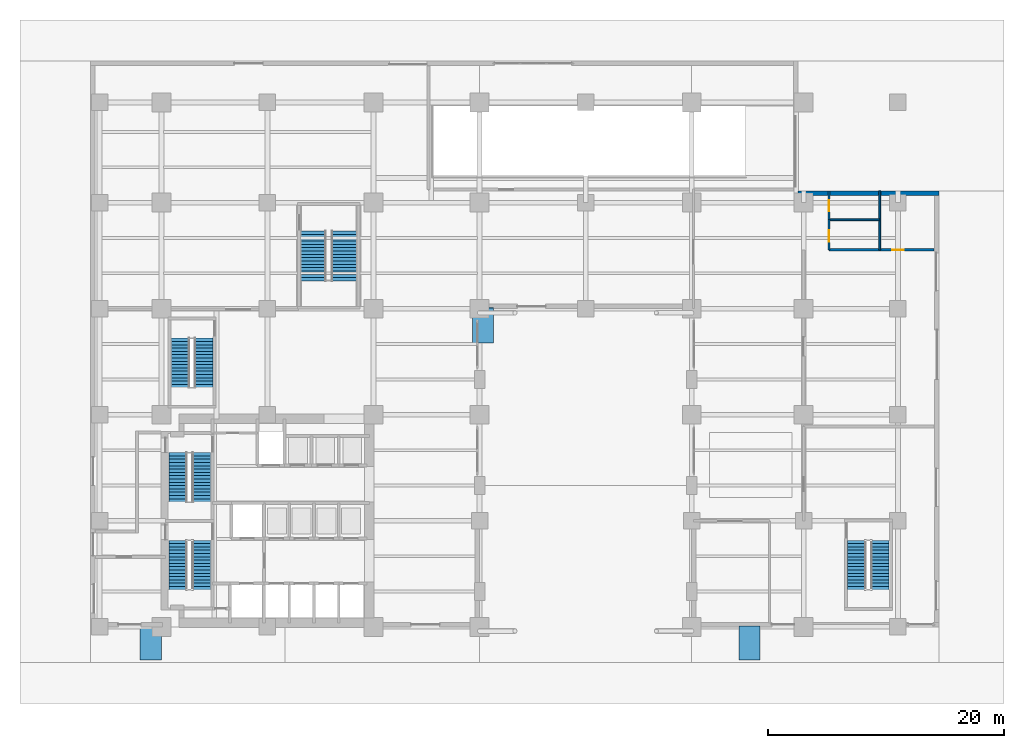
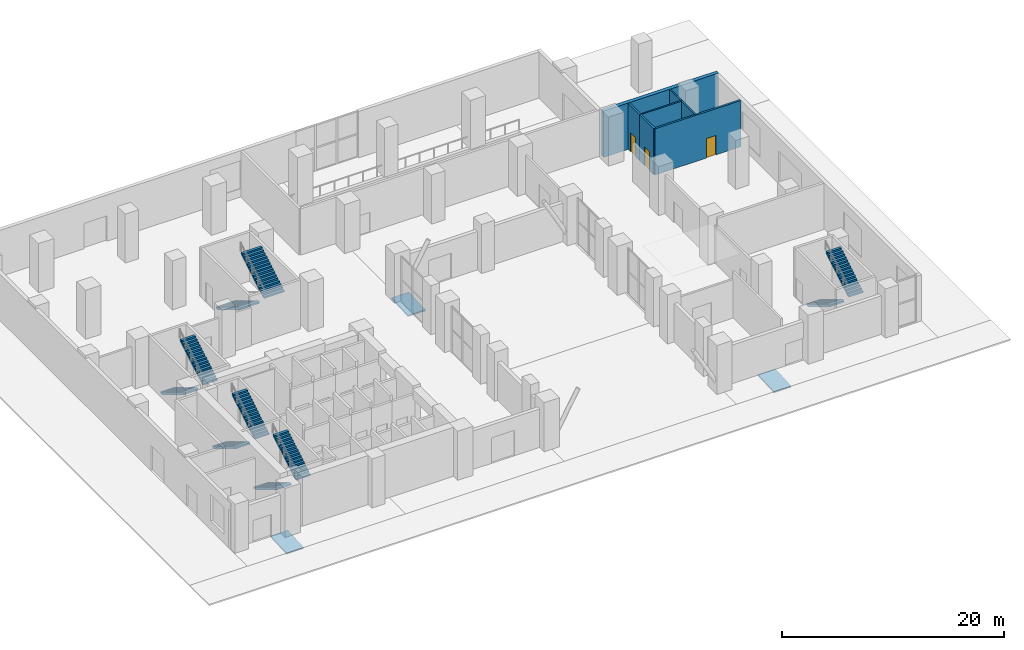
# One storey, part 14 of 17: 10 stair flights, 6 walls, 3 doors, 3 ramp flights, 3 openings, 8 elements without a shape of their own.
"""IFC4 building model written with IfcOpenShell, lengths in metres."""

from ifc_helpers import new_model, si_unit, direction, frame, frame_2d, origin, place, context, subcontext, project, spatial, polyline, rectangle, outline, extrude, material, layer, layer_set, type_object, element, fill, aggregate, save


model = new_model("IFC4")

# Units and contexts
model_context = context("Model", 3, precision=1e-05, world=origin(), true_north=direction((0.0, 1.0)))
body_context = subcontext(model_context, "Body", "Model", "MODEL_VIEW")
ifc_project = project(units=[si_unit("LENGTHUNIT", "METRE"), si_unit("AREAUNIT", "SQUARE_METRE"), si_unit("VOLUMEUNIT", "CUBIC_METRE"), si_unit("PLANEANGLEUNIT", "RADIAN"), si_unit("MASSUNIT", "GRAM", prefix="KILO")], contexts=[model_context])

# Site, building, storey
site_placement = place(None, origin())
site = spatial("IfcSite", under=ifc_project, at=site_placement, CompositionType="ELEMENT")
building_placement = place(site_placement, origin())
building = spatial("IfcBuilding", under=site, at=building_placement, Name="Mawjdan Bourse Tower", CompositionType="ELEMENT")
storey_placement = place(building_placement, origin())
storey = spatial("IfcBuildingStorey", under=building, at=storey_placement, Name="L00", CompositionType="ELEMENT", Elevation=0.0)

# Wall
ifc_material_1 = material(Name="Brick Masonry Terracotta Red", Category="masonry")
ifc_layer_1 = layer(ifc_material_1, 0.3798828125)
ifc_layer_set_1 = layer_set([ifc_layer_1], Name="Brick Masonry Terracotta Red")
wall_type_1 = type_object("IfcWallType", Name="WL-BRK-RED-380", PredefinedType="STANDARD", material=ifc_layer_set_1)
wall_1_placement = place(storey_placement, frame((72.0, 39.81005859375, 0.0), z_axis=(0.0, 0.0, 1.0), x_axis=(-1.0, 0.0, 0.0)))
element("IfcWall", 1, at=wall_1_placement, inside=storey, type_object=wall_type_1, Name="L00 Podium Brick Wall RAMP-STEP", PredefinedType="STANDARD", context=body_context, shape_type="SweptSolid", body=[
    extrude(rectangle(XDim=12.0, YDim=0.3798828125, at=frame_2d((6.0, 0.0))), origin(), (0.0, 0.0, 1.0), 5.10009765625),
])

# Wall, opening, door
ifc_material_2 = material(Name="Gypsum Fireboard Assembly")
ifc_layer_2 = layer(ifc_material_2, 0.199951171875)
ifc_layer_set_2 = layer_set([ifc_layer_2], Name="Gypsum Fireboard Assembly")
wall_type_2 = type_object("IfcWallType", Name="WL-CMP-200", PredefinedType="PARTITIONING", material=ifc_layer_set_2)
wall_2_placement = place(storey_placement, frame((62.64990234375, 35.0, 0.0), z_axis=(0.0, 0.0, 1.0), x_axis=(1.0, 0.0, 0.0)))
wall_2 = element("IfcWall", 2, at=wall_2_placement, inside=storey, type_object=wall_type_2, Name="L00 East Restroom South Wall", PredefinedType="PARTITIONING", context=body_context, shape_type="SweptSolid", body=[
    extrude(rectangle(XDim=8.93017578125, YDim=0.199951171875, at=frame_2d((4.465087890625, 0.0))), origin(), (0.0, 0.0, 1.0), 5.090087890625),
])
opening_1_placement = place(wall_2_placement, frame((5.35009765625, 0.0, 0.0)))
opening_1 = element("IfcOpeningElement", 3, at=opening_1_placement, cuts=wall_2, Name="Opening D-L00-31", PredefinedType="OPENING", context=body_context, shape_type="SweptSolid", body=[
    extrude(rectangle(XDim=1.0, YDim=2.14990234375, at=frame_2d((0.5, 1.074951171875))), frame((0.0, 0.10986328125, 0.0), z_axis=(0.0, -1.0, 0.0), x_axis=(1.0, 0.0, 0.0)), (0.0, 0.0, 1.0), 0.219970703125),
])
ifc_material_3 = material(Name="Hardwood Acoustic Leaf", Category="wood")
door_type_1 = type_object("IfcDoorType", Name="DR-OFC-1000", OperationType="NOTDEFINED", PredefinedType="DOOR", material=ifc_material_3)
door_1_placement = place(opening_1_placement, origin())
door_1 = element("IfcDoor", 4, at=door_1_placement, inside=storey, type_object=door_type_1, Name="L00 Facilities Store Door D-L00-31", OperationType="SINGLE_SWING_LEFT", OverallHeight=2.14990234375, OverallWidth=1.0, PredefinedType="DOOR", context=body_context, shape_type="SweptSolid", body=[
    extrude(rectangle(XDim=1.0, YDim=2.14990234375, at=frame_2d((0.5, 1.074951171875))), frame((0.0, 0.02490234375, 0.0), z_axis=(0.0, -1.0, 0.0), x_axis=(1.0, 0.0, 0.0)), (0.0, 0.0, 1.0), 0.050048828125),
])
fill(opening_1, door_1)

wall_3_placement = place(storey_placement, frame((62.64990234375, 35.0, 0.0), z_axis=(0.0, 0.0, 1.0), x_axis=(0.0, 1.0, 0.0)))
wall_3 = element("IfcWall", 5, at=wall_3_placement, inside=storey, type_object=wall_type_2, Name="L00 East Accessible WC West Wall", PredefinedType="PARTITIONING", context=body_context, shape_type="SweptSolid", body=[
    extrude(rectangle(XDim=2.550048828125, YDim=0.199951171875, at=frame_2d((1.27490234375, 0.0))), origin(), (0.0, 0.0, 1.0), 5.090087890625),
])
opening_2_placement = place(wall_3_placement, frame((0.699951171875, 0.0, 0.0)))
opening_2 = element("IfcOpeningElement", 6, at=opening_2_placement, cuts=wall_3, Name="Opening D-L00-32", PredefinedType="OPENING", context=body_context, shape_type="SweptSolid", body=[
    extrude(rectangle(XDim=0.949951171875, YDim=2.10009765625, at=frame_2d((0.47509765625, 1.050048828125))), frame((0.0, 0.10986328125, 0.0), z_axis=(0.0, -1.0, 0.0), x_axis=(1.0, 0.0, 0.0)), (0.0, 0.0, 1.0), 0.219970703125),
])
ifc_material_4 = material(Name="Moisture-Resistant Laminate Timber", Category="wood")
door_type_2 = type_object("IfcDoorType", Name="DR-WET-0950", OperationType="NOTDEFINED", PredefinedType="DOOR", material=ifc_material_4)
door_2_placement = place(opening_2_placement, origin())
door_2 = element("IfcDoor", 7, at=door_2_placement, inside=storey, type_object=door_type_2, Name="L00 East Accessible WC Door D-L00-32", OperationType="SINGLE_SWING_RIGHT", OverallHeight=2.10009765625, OverallWidth=0.949951171875, PredefinedType="DOOR", context=body_context, shape_type="SweptSolid", body=[
    extrude(rectangle(XDim=0.949951171875, YDim=2.10009765625, at=frame_2d((0.47509765625, 1.050048828125))), frame((0.0, 0.02490234375, 0.0), z_axis=(0.0, -1.0, 0.0), x_axis=(1.0, 0.0, 0.0)), (0.0, 0.0, 1.0), 0.050048828125),
])
fill(opening_2, door_2)

wall_4_placement = place(storey_placement, frame((62.64990234375, 37.550048828125, 0.0), z_axis=(0.0, 0.0, 1.0), x_axis=(0.0, 1.0, 0.0)))
wall_4 = element("IfcWall", 8, at=wall_4_placement, inside=storey, type_object=wall_type_2, Name="L00 East Restroom West Wall", PredefinedType="PARTITIONING", context=body_context, shape_type="SweptSolid", body=[
    extrude(rectangle(XDim=2.449951171875, YDim=0.199951171875, at=frame_2d((1.22509765625, 0.0))), origin(), (0.0, 0.0, 1.0), 5.090087890625),
])
opening_3_placement = place(wall_4_placement, frame((0.699951171875, 0.0, 0.0)))
opening_3 = element("IfcOpeningElement", 9, at=opening_3_placement, cuts=wall_4, Name="Opening D-L00-33", PredefinedType="OPENING", context=body_context, shape_type="SweptSolid", body=[
    extrude(rectangle(XDim=0.949951171875, YDim=2.10009765625, at=frame_2d((0.47509765625, 1.050048828125))), frame((0.0, 0.10986328125, 0.0), z_axis=(0.0, -1.0, 0.0), x_axis=(1.0, 0.0, 0.0)), (0.0, 0.0, 1.0), 0.219970703125),
])
door_3_placement = place(opening_3_placement, origin())
door_3 = element("IfcDoor", 10, at=door_3_placement, inside=storey, type_object=door_type_2, Name="L00 East Restroom Door D-L00-33", OperationType="SINGLE_SWING_LEFT", OverallHeight=2.10009765625, OverallWidth=0.949951171875, PredefinedType="DOOR", context=body_context, shape_type="SweptSolid", body=[
    extrude(rectangle(XDim=0.949951171875, YDim=2.10009765625, at=frame_2d((0.47509765625, 1.050048828125))), frame((0.0, 0.02490234375, 0.0), z_axis=(0.0, -1.0, 0.0), x_axis=(1.0, 0.0, 0.0)), (0.0, 0.0, 1.0), 0.050048828125),
])
fill(opening_3, door_3)

# Walls
ifc_material_5 = material(Name="Gypsum Acoustic Partition")
ifc_layer_3 = layer(ifc_material_5, 0.14990234375)
ifc_layer_set_3 = layer_set([ifc_layer_3], Name="Gypsum Acoustic Partition")
wall_type_3 = type_object("IfcWallType", Name="WL-PRT-150", PredefinedType="PARTITIONING", material=ifc_layer_set_3)
wall_5_placement = place(storey_placement, frame((62.64990234375, 37.550048828125, 0.0), z_axis=(0.0, 0.0, 1.0), x_axis=(1.0, 0.0, 0.0)))
element("IfcWall", 11, at=wall_5_placement, inside=storey, type_object=wall_type_3, Name="L00 WC Split Wall", PredefinedType="PARTITIONING", context=body_context, shape_type="SweptSolid", body=[
    extrude(rectangle(XDim=4.300048828125, YDim=0.14990234375, at=frame_2d((2.14990234375, 0.0))), origin(), (0.0, 0.0, 1.0), 5.090087890625),
])
wall_6_placement = place(storey_placement, frame((66.949951171875, 35.0, 0.0), z_axis=(0.0, 0.0, 1.0), x_axis=(0.0, 1.0, 0.0)))
element("IfcWall", 12, at=wall_6_placement, inside=storey, type_object=wall_type_3, Name="L00 Store Split Wall", PredefinedType="PARTITIONING", context=body_context, shape_type="SweptSolid", body=[
    extrude(rectangle(XDim=5.0, YDim=0.14990234375, at=frame_2d((2.5, 0.0))), origin(), (0.0, 0.0, 1.0), 5.090087890625),
])

# Stair, stair flights
ifc_material_6 = material(Name="Concrete C50/60", Category="concrete")
stair_type_1 = type_object("IfcStairType", Name="STR-CORE-1500", PredefinedType="HALF_TURN_STAIR", material=ifc_material_6)
stair_1_placement = place(storey_placement, origin())
stair_1 = element("IfcStair", 13, at=stair_1_placement, inside=storey, type_object=stair_type_1, Name="L00 Exit Stair 1 (Core South-West)", PredefinedType="HALF_TURN_STAIR")
stair_flight_type_1 = type_object("IfcStairFlightType", Name="SFL-RC-1500", PredefinedType="STRAIGHT", material=ifc_material_6)
stair_flight_1_placement = place(storey_placement, frame((7.389892578125, 10.35009765625, 0.0), z_axis=(0.0, 0.0, 1.0), x_axis=(0.0, -1.0, 0.0)))
stair_flight_1 = element("IfcStairFlight", 14, at=stair_flight_1_placement, type_object=stair_flight_type_1, Name="ST1-L00 flight 1", NumberOfRisers=16, NumberOfTreads=15, PredefinedType="STRAIGHT", RiserHeight=0.16875, TreadLength=0.28, context=body_context, shape_type="SweptSolid", body=[
    extrude(outline(polyline([(0.0, 0.0), (0.0, 0.168701171875), (0.280029296875, 0.168701171875), (0.280029296875, 0.33740234375), (0.56005859375, 0.33740234375), (0.56005859375, 0.50634765625), (0.840087890625, 0.50634765625), (0.840087890625, 0.675048828125), (1.1201171875, 0.675048828125), (1.1201171875, 0.84375), (1.39990234375, 0.84375), (1.39990234375, 1.012451171875), (1.679931640625, 1.012451171875), (1.679931640625, 1.18115234375), (1.9599609375, 1.18115234375), (1.9599609375, 1.35009765625), (2.239990234375, 1.35009765625), (2.239990234375, 1.518798828125), (2.52001953125, 1.518798828125), (2.52001953125, 1.6875), (2.800048828125, 1.6875), (2.800048828125, 1.856201171875), (3.080078125, 1.856201171875), (3.080078125, 2.02490234375), (3.360107421875, 2.02490234375), (3.360107421875, 2.19384765625), (3.639892578125, 2.19384765625), (3.639892578125, 2.362548828125), (3.919921875, 2.362548828125), (3.919921875, 2.53125), (4.199951171875, 2.53125), (4.199951171875, 2.699951171875), (4.199951171875, 2.344482421875), (0.309814453125, 0.0), (0.0, 0.0)])), frame((0.0, 0.75, 0.0), z_axis=(0.0, -1.0, 0.0), x_axis=(1.0, 0.0, 0.0)), (0.0, 0.0, 1.0), 1.5),
])
stair_flight_2_placement = place(storey_placement, frame((9.409912109375, 6.14990234375, 2.699951171875), z_axis=(0.0, 0.0, 1.0), x_axis=(0.0, 1.0, 0.0)))
stair_flight_2 = element("IfcStairFlight", 15, at=stair_flight_2_placement, type_object=stair_flight_type_1, Name="ST1-L00 flight 2", NumberOfRisers=16, NumberOfTreads=15, PredefinedType="STRAIGHT", RiserHeight=0.16875, TreadLength=0.28, context=body_context, shape_type="SweptSolid", body=[
    extrude(outline(polyline([(0.0, 0.0), (0.0, 0.168701171875), (0.280029296875, 0.168701171875), (0.280029296875, 0.33740234375), (0.56005859375, 0.33740234375), (0.56005859375, 0.50634765625), (0.840087890625, 0.50634765625), (0.840087890625, 0.675048828125), (1.1201171875, 0.675048828125), (1.1201171875, 0.84375), (1.39990234375, 0.84375), (1.39990234375, 1.012451171875), (1.679931640625, 1.012451171875), (1.679931640625, 1.18115234375), (1.9599609375, 1.18115234375), (1.9599609375, 1.35009765625), (2.239990234375, 1.35009765625), (2.239990234375, 1.518798828125), (2.52001953125, 1.518798828125), (2.52001953125, 1.6875), (2.800048828125, 1.6875), (2.800048828125, 1.856201171875), (3.080078125, 1.856201171875), (3.080078125, 2.02490234375), (3.360107421875, 2.02490234375), (3.360107421875, 2.19384765625), (3.639892578125, 2.19384765625), (3.639892578125, 2.362548828125), (3.919921875, 2.362548828125), (3.919921875, 2.53125), (4.199951171875, 2.53125), (4.199951171875, 2.699951171875), (4.199951171875, 2.344482421875), (0.309814453125, 0.0), (0.0, 0.0)])), frame((0.0, 0.75, 0.0), z_axis=(0.0, -1.0, 0.0), x_axis=(1.0, 0.0, 0.0)), (0.0, 0.0, 1.0), 1.5),
])
aggregate(stair_1, [stair_flight_1, stair_flight_2])

stair_2_placement = place(storey_placement, origin())
stair_2 = element("IfcStair", 16, at=stair_2_placement, inside=storey, type_object=stair_type_1, Name="L00 Exit Stair 2 (Core North-West)", PredefinedType="HALF_TURN_STAIR")
stair_flight_3_placement = place(storey_placement, frame((7.389892578125, 17.7900390625, 0.0), z_axis=(0.0, 0.0, 1.0), x_axis=(0.0, -1.0, 0.0)))
stair_flight_3 = element("IfcStairFlight", 17, at=stair_flight_3_placement, type_object=stair_flight_type_1, Name="ST2-L00 flight 1", NumberOfRisers=16, NumberOfTreads=15, PredefinedType="STRAIGHT", RiserHeight=0.16875, TreadLength=0.28, context=body_context, shape_type="SweptSolid", body=[
    extrude(outline(polyline([(0.0, 0.0), (0.0, 0.168701171875), (0.280029296875, 0.168701171875), (0.280029296875, 0.33740234375), (0.56005859375, 0.33740234375), (0.56005859375, 0.50634765625), (0.840087890625, 0.50634765625), (0.840087890625, 0.675048828125), (1.1201171875, 0.675048828125), (1.1201171875, 0.84375), (1.39990234375, 0.84375), (1.39990234375, 1.012451171875), (1.679931640625, 1.012451171875), (1.679931640625, 1.18115234375), (1.9599609375, 1.18115234375), (1.9599609375, 1.35009765625), (2.239990234375, 1.35009765625), (2.239990234375, 1.518798828125), (2.52001953125, 1.518798828125), (2.52001953125, 1.6875), (2.800048828125, 1.6875), (2.800048828125, 1.856201171875), (3.080078125, 1.856201171875), (3.080078125, 2.02490234375), (3.360107421875, 2.02490234375), (3.360107421875, 2.19384765625), (3.639892578125, 2.19384765625), (3.639892578125, 2.362548828125), (3.919921875, 2.362548828125), (3.919921875, 2.53125), (4.199951171875, 2.53125), (4.199951171875, 2.699951171875), (4.199951171875, 2.344482421875), (0.309814453125, 0.0), (0.0, 0.0)])), frame((0.0, 0.75, 0.0), z_axis=(0.0, -1.0, 0.0), x_axis=(1.0, 0.0, 0.0)), (0.0, 0.0, 1.0), 1.5),
])
stair_flight_4_placement = place(storey_placement, frame((9.409912109375, 13.590087890625, 2.699951171875), z_axis=(0.0, 0.0, 1.0), x_axis=(0.0, 1.0, 0.0)))
stair_flight_4 = element("IfcStairFlight", 18, at=stair_flight_4_placement, type_object=stair_flight_type_1, Name="ST2-L00 flight 2", NumberOfRisers=16, NumberOfTreads=15, PredefinedType="STRAIGHT", RiserHeight=0.16875, TreadLength=0.28, context=body_context, shape_type="SweptSolid", body=[
    extrude(outline(polyline([(0.0, 0.0), (0.0, 0.168701171875), (0.280029296875, 0.168701171875), (0.280029296875, 0.33740234375), (0.56005859375, 0.33740234375), (0.56005859375, 0.50634765625), (0.840087890625, 0.50634765625), (0.840087890625, 0.675048828125), (1.1201171875, 0.675048828125), (1.1201171875, 0.84375), (1.39990234375, 0.84375), (1.39990234375, 1.012451171875), (1.679931640625, 1.012451171875), (1.679931640625, 1.18115234375), (1.9599609375, 1.18115234375), (1.9599609375, 1.35009765625), (2.239990234375, 1.35009765625), (2.239990234375, 1.518798828125), (2.52001953125, 1.518798828125), (2.52001953125, 1.6875), (2.800048828125, 1.6875), (2.800048828125, 1.856201171875), (3.080078125, 1.856201171875), (3.080078125, 2.02490234375), (3.360107421875, 2.02490234375), (3.360107421875, 2.19384765625), (3.639892578125, 2.19384765625), (3.639892578125, 2.362548828125), (3.919921875, 2.362548828125), (3.919921875, 2.53125), (4.199951171875, 2.53125), (4.199951171875, 2.699951171875), (4.199951171875, 2.344482421875), (0.309814453125, 0.0), (0.0, 0.0)])), frame((0.0, 0.75, 0.0), z_axis=(0.0, -1.0, 0.0), x_axis=(1.0, 0.0, 0.0)), (0.0, 0.0, 1.0), 1.5),
])
aggregate(stair_2, [stair_flight_3, stair_flight_4])

stair_3_placement = place(storey_placement, origin())
stair_3 = element("IfcStair", 19, at=stair_3_placement, inside=storey, type_object=stair_type_1, Name="L00 Exit Stair 3 (North Wing)", PredefinedType="HALF_TURN_STAIR")
stair_flight_5_placement = place(storey_placement, frame((7.590087890625, 27.5, 0.0), z_axis=(0.0, 0.0, 1.0), x_axis=(0.0, -1.0, 0.0)))
stair_flight_5 = element("IfcStairFlight", 20, at=stair_flight_5_placement, type_object=stair_flight_type_1, Name="ST3-L00 flight 1", NumberOfRisers=16, NumberOfTreads=15, PredefinedType="STRAIGHT", RiserHeight=0.16875, TreadLength=0.28, context=body_context, shape_type="SweptSolid", body=[
    extrude(outline(polyline([(0.0, 0.0), (0.0, 0.168701171875), (0.280029296875, 0.168701171875), (0.280029296875, 0.33740234375), (0.56005859375, 0.33740234375), (0.56005859375, 0.50634765625), (0.840087890625, 0.50634765625), (0.840087890625, 0.675048828125), (1.1201171875, 0.675048828125), (1.1201171875, 0.84375), (1.39990234375, 0.84375), (1.39990234375, 1.012451171875), (1.679931640625, 1.012451171875), (1.679931640625, 1.18115234375), (1.9599609375, 1.18115234375), (1.9599609375, 1.35009765625), (2.239990234375, 1.35009765625), (2.239990234375, 1.518798828125), (2.52001953125, 1.518798828125), (2.52001953125, 1.6875), (2.800048828125, 1.6875), (2.800048828125, 1.856201171875), (3.080078125, 1.856201171875), (3.080078125, 2.02490234375), (3.360107421875, 2.02490234375), (3.360107421875, 2.19384765625), (3.639892578125, 2.19384765625), (3.639892578125, 2.362548828125), (3.919921875, 2.362548828125), (3.919921875, 2.53125), (4.199951171875, 2.53125), (4.199951171875, 2.699951171875), (4.199951171875, 2.344482421875), (0.309814453125, 0.0), (0.0, 0.0)])), frame((0.0, 0.75, 0.0), z_axis=(0.0, -1.0, 0.0), x_axis=(1.0, 0.0, 0.0)), (0.0, 0.0, 1.0), 1.5),
])
stair_flight_6_placement = place(storey_placement, frame((9.610107421875, 23.300048828125, 2.699951171875), z_axis=(0.0, 0.0, 1.0), x_axis=(0.0, 1.0, 0.0)))
stair_flight_6 = element("IfcStairFlight", 21, at=stair_flight_6_placement, type_object=stair_flight_type_1, Name="ST3-L00 flight 2", NumberOfRisers=16, NumberOfTreads=15, PredefinedType="STRAIGHT", RiserHeight=0.16875, TreadLength=0.28, context=body_context, shape_type="SweptSolid", body=[
    extrude(outline(polyline([(0.0, 0.0), (0.0, 0.168701171875), (0.280029296875, 0.168701171875), (0.280029296875, 0.33740234375), (0.56005859375, 0.33740234375), (0.56005859375, 0.50634765625), (0.840087890625, 0.50634765625), (0.840087890625, 0.675048828125), (1.1201171875, 0.675048828125), (1.1201171875, 0.84375), (1.39990234375, 0.84375), (1.39990234375, 1.012451171875), (1.679931640625, 1.012451171875), (1.679931640625, 1.18115234375), (1.9599609375, 1.18115234375), (1.9599609375, 1.35009765625), (2.239990234375, 1.35009765625), (2.239990234375, 1.518798828125), (2.52001953125, 1.518798828125), (2.52001953125, 1.6875), (2.800048828125, 1.6875), (2.800048828125, 1.856201171875), (3.080078125, 1.856201171875), (3.080078125, 2.02490234375), (3.360107421875, 2.02490234375), (3.360107421875, 2.19384765625), (3.639892578125, 2.19384765625), (3.639892578125, 2.362548828125), (3.919921875, 2.362548828125), (3.919921875, 2.53125), (4.199951171875, 2.53125), (4.199951171875, 2.699951171875), (4.199951171875, 2.344482421875), (0.309814453125, 0.0), (0.0, 0.0)])), frame((0.0, 0.75, 0.0), z_axis=(0.0, -1.0, 0.0), x_axis=(1.0, 0.0, 0.0)), (0.0, 0.0, 1.0), 1.5),
])
aggregate(stair_3, [stair_flight_5, stair_flight_6])

stair_4_placement = place(storey_placement, origin())
stair_4 = element("IfcStair", 22, at=stair_4_placement, inside=storey, type_object=stair_type_1, Name="L00 Exit Stair 6 (East Podium Pier)", PredefinedType="HALF_TURN_STAIR")
stair_flight_7_placement = place(storey_placement, frame((64.989990234375, 10.35009765625, 0.0), z_axis=(0.0, 0.0, 1.0), x_axis=(0.0, -1.0, 0.0)))
stair_flight_7 = element("IfcStairFlight", 23, at=stair_flight_7_placement, type_object=stair_flight_type_1, Name="ST6-L00 flight 1", NumberOfRisers=16, NumberOfTreads=15, PredefinedType="STRAIGHT", RiserHeight=0.16875, TreadLength=0.28, context=body_context, shape_type="SweptSolid", body=[
    extrude(outline(polyline([(0.0, 0.0), (0.0, 0.168701171875), (0.280029296875, 0.168701171875), (0.280029296875, 0.33740234375), (0.56005859375, 0.33740234375), (0.56005859375, 0.50634765625), (0.840087890625, 0.50634765625), (0.840087890625, 0.675048828125), (1.1201171875, 0.675048828125), (1.1201171875, 0.84375), (1.39990234375, 0.84375), (1.39990234375, 1.012451171875), (1.679931640625, 1.012451171875), (1.679931640625, 1.18115234375), (1.9599609375, 1.18115234375), (1.9599609375, 1.35009765625), (2.239990234375, 1.35009765625), (2.239990234375, 1.518798828125), (2.52001953125, 1.518798828125), (2.52001953125, 1.6875), (2.800048828125, 1.6875), (2.800048828125, 1.856201171875), (3.080078125, 1.856201171875), (3.080078125, 2.02490234375), (3.360107421875, 2.02490234375), (3.360107421875, 2.19384765625), (3.639892578125, 2.19384765625), (3.639892578125, 2.362548828125), (3.919921875, 2.362548828125), (3.919921875, 2.53125), (4.199951171875, 2.53125), (4.199951171875, 2.699951171875), (4.199951171875, 2.344482421875), (0.309814453125, 0.0), (0.0, 0.0)])), frame((0.0, 0.75, 0.0), z_axis=(0.0, -1.0, 0.0), x_axis=(1.0, 0.0, 0.0)), (0.0, 0.0, 1.0), 1.5),
])
stair_flight_8_placement = place(storey_placement, frame((67.010009765625, 6.14990234375, 2.699951171875), z_axis=(0.0, 0.0, 1.0), x_axis=(0.0, 1.0, 0.0)))
stair_flight_8 = element("IfcStairFlight", 24, at=stair_flight_8_placement, type_object=stair_flight_type_1, Name="ST6-L00 flight 2", NumberOfRisers=16, NumberOfTreads=15, PredefinedType="STRAIGHT", RiserHeight=0.16875, TreadLength=0.28, context=body_context, shape_type="SweptSolid", body=[
    extrude(outline(polyline([(0.0, 0.0), (0.0, 0.168701171875), (0.280029296875, 0.168701171875), (0.280029296875, 0.33740234375), (0.56005859375, 0.33740234375), (0.56005859375, 0.50634765625), (0.840087890625, 0.50634765625), (0.840087890625, 0.675048828125), (1.1201171875, 0.675048828125), (1.1201171875, 0.84375), (1.39990234375, 0.84375), (1.39990234375, 1.012451171875), (1.679931640625, 1.012451171875), (1.679931640625, 1.18115234375), (1.9599609375, 1.18115234375), (1.9599609375, 1.35009765625), (2.239990234375, 1.35009765625), (2.239990234375, 1.518798828125), (2.52001953125, 1.518798828125), (2.52001953125, 1.6875), (2.800048828125, 1.6875), (2.800048828125, 1.856201171875), (3.080078125, 1.856201171875), (3.080078125, 2.02490234375), (3.360107421875, 2.02490234375), (3.360107421875, 2.19384765625), (3.639892578125, 2.19384765625), (3.639892578125, 2.362548828125), (3.919921875, 2.362548828125), (3.919921875, 2.53125), (4.199951171875, 2.53125), (4.199951171875, 2.699951171875), (4.199951171875, 2.344482421875), (0.309814453125, 0.0), (0.0, 0.0)])), frame((0.0, 0.75, 0.0), z_axis=(0.0, -1.0, 0.0), x_axis=(1.0, 0.0, 0.0)), (0.0, 0.0, 1.0), 1.5),
])
aggregate(stair_4, [stair_flight_7, stair_flight_8])

ifc_material_7 = material(Name="Concrete C50/60 precast", Category="concrete")
stair_type_2 = type_object("IfcStairType", Name="STR-CER-1800", PredefinedType="TWO_STRAIGHT_RUN_STAIR", material=ifc_material_7)
stair_5_placement = place(storey_placement, origin())
stair_5 = element("IfcStair", 25, at=stair_5_placement, inside=storey, type_object=stair_type_2, Name="L00 Exchange Hall Ceremonial Stair", PredefinedType="TWO_STRAIGHT_RUN_STAIR")
ifc_material_8 = material(Name="Structural Steel S355", Category="steel")
stair_flight_type_2 = type_object("IfcStairFlightType", Name="SFL-STL-1800", PredefinedType="STRAIGHT", material=ifc_material_8)
stair_flight_9_placement = place(storey_placement, frame((18.889892578125, 36.590087890625, 0.0), z_axis=(0.0, 0.0, 1.0), x_axis=(0.0, -1.0, 0.0)))
stair_flight_9 = element("IfcStairFlight", 26, at=stair_flight_9_placement, type_object=stair_flight_type_2, Name="ST4-L00 flight 1", NumberOfRisers=16, NumberOfTreads=15, PredefinedType="STRAIGHT", RiserHeight=0.16875, TreadLength=0.282, context=body_context, shape_type="SweptSolid", body=[
    extrude(outline(polyline([(0.0, 0.0), (0.0, 0.168701171875), (0.281982421875, 0.168701171875), (0.281982421875, 0.33740234375), (0.56396484375, 0.33740234375), (0.56396484375, 0.50634765625), (0.845947265625, 0.50634765625), (0.845947265625, 0.675048828125), (1.1279296875, 0.675048828125), (1.1279296875, 0.84375), (1.409912109375, 0.84375), (1.409912109375, 1.012451171875), (1.69189453125, 1.012451171875), (1.69189453125, 1.18115234375), (1.97412109375, 1.18115234375), (1.97412109375, 1.35009765625), (2.256103515625, 1.35009765625), (2.256103515625, 1.518798828125), (2.5380859375, 1.518798828125), (2.5380859375, 1.6875), (2.820068359375, 1.6875), (2.820068359375, 1.856201171875), (3.10205078125, 1.856201171875), (3.10205078125, 2.02490234375), (3.384033203125, 2.02490234375), (3.384033203125, 2.19384765625), (3.666015625, 2.19384765625), (3.666015625, 2.362548828125), (3.947998046875, 2.362548828125), (3.947998046875, 2.53125), (4.22998046875, 2.53125), (4.22998046875, 2.699951171875), (4.22998046875, 2.344970703125), (0.3115234375, 0.0), (0.0, 0.0)])), frame((0.0, 1.050048828125, 0.0), z_axis=(0.0, -1.0, 0.0), x_axis=(1.0, 0.0, 0.0)), (0.0, 0.0, 1.0), 2.10009765625),
])
stair_flight_10_placement = place(storey_placement, frame((21.510009765625, 32.360107421875, 2.699951171875), z_axis=(0.0, 0.0, 1.0), x_axis=(0.0, 1.0, 0.0)))
stair_flight_10 = element("IfcStairFlight", 27, at=stair_flight_10_placement, type_object=stair_flight_type_2, Name="ST4-L00 flight 2", NumberOfRisers=16, NumberOfTreads=15, PredefinedType="STRAIGHT", RiserHeight=0.16875, TreadLength=0.282, context=body_context, shape_type="SweptSolid", body=[
    extrude(outline(polyline([(0.0, 0.0), (0.0, 0.168701171875), (0.281982421875, 0.168701171875), (0.281982421875, 0.33740234375), (0.56396484375, 0.33740234375), (0.56396484375, 0.50634765625), (0.845947265625, 0.50634765625), (0.845947265625, 0.675048828125), (1.1279296875, 0.675048828125), (1.1279296875, 0.84375), (1.409912109375, 0.84375), (1.409912109375, 1.012451171875), (1.69189453125, 1.012451171875), (1.69189453125, 1.18115234375), (1.97412109375, 1.18115234375), (1.97412109375, 1.35009765625), (2.256103515625, 1.35009765625), (2.256103515625, 1.518798828125), (2.5380859375, 1.518798828125), (2.5380859375, 1.6875), (2.820068359375, 1.6875), (2.820068359375, 1.856201171875), (3.10205078125, 1.856201171875), (3.10205078125, 2.02490234375), (3.384033203125, 2.02490234375), (3.384033203125, 2.19384765625), (3.666015625, 2.19384765625), (3.666015625, 2.362548828125), (3.947998046875, 2.362548828125), (3.947998046875, 2.53125), (4.22998046875, 2.53125), (4.22998046875, 2.699951171875), (4.22998046875, 2.344970703125), (0.3115234375, 0.0), (0.0, 0.0)])), frame((0.0, 1.050048828125, 0.0), z_axis=(0.0, -1.0, 0.0), x_axis=(1.0, 0.0, 0.0)), (0.0, 0.0, 1.0), 2.10009765625),
])
aggregate(stair_5, [stair_flight_9, stair_flight_10])

# Ramp, ramp flight
ifc_material_9 = material(Name="Reinforced Concrete C50/60", Category="concrete")
ramp_type = type_object("IfcRampType", Name="RMP-ACC-1800", PredefinedType="STRAIGHT_RUN_RAMP", material=ifc_material_9)
ramp_1_placement = place(storey_placement, origin())
ramp_1 = element("IfcRamp", 28, at=ramp_1_placement, inside=storey, type_object=ramp_type, Name="L00 South-West Boulevard Step-Free Ramp", PredefinedType="STRAIGHT_RUN_RAMP")
ifc_layer_4 = layer(ifc_material_9, 0.179931640625)
ifc_layer_set_4 = layer_set([ifc_layer_4], Name="Reinforced Concrete C50/60")
ramp_flight_type = type_object("IfcRampFlightType", Name="RFL-ACC-1800", PredefinedType="STRAIGHT", material=ifc_layer_set_4)
ramp_flight_1_placement = place(storey_placement, frame((4.199951171875, 0.199951171875, -0.139892578125), z_axis=(0.0, -0.048514476626, 0.998822479502), x_axis=(0.0, 0.998822479502, 0.048514476626)))
ramp_flight_1 = element("IfcRampFlight", 29, at=ramp_flight_1_placement, type_object=ramp_flight_type, Name="L00 South-West Boulevard Step-Free Ramp Flight", PredefinedType="STRAIGHT", context=body_context, shape_type="SweptSolid", body=[
    extrude(outline(polyline([(0.0, 0.0), (2.8835223598112703, 0.0), (2.8835223598112703, -1.8000488281250004), (0.0, -1.8000488281250004), (0.0, 0.0)])), origin(), (0.0, 0.0, -1.0), 0.159912109375),
])
aggregate(ramp_1, [ramp_flight_1])

ramp_2_placement = place(storey_placement, origin())
ramp_2 = element("IfcRamp", 30, at=ramp_2_placement, inside=storey, type_object=ramp_type, Name="L00 Archway Concourse Step-Free Ramp", PredefinedType="STRAIGHT_RUN_RAMP")
ramp_flight_2_placement = place(storey_placement, frame((32.39990234375, 27.10009765625, -0.139892578125), z_axis=(0.0, -0.046892484596, 0.998899942381), x_axis=(0.0, 0.998899942381, 0.046892484596)))
ramp_flight_2 = element("IfcRampFlight", 31, at=ramp_flight_2_placement, type_object=ramp_flight_type, Name="L00 Archway Concourse Step-Free Ramp Flight", PredefinedType="STRAIGHT", context=body_context, shape_type="SweptSolid", body=[
    extrude(outline(polyline([(0.0, 0.0), (2.983262229095178, 0.0), (2.983262229095178, -1.800048828125), (0.0, -1.800048828125), (0.0, 0.0)])), origin(), (0.0, 0.0, -1.0), 0.159912109375),
])
aggregate(ramp_2, [ramp_flight_2])

ramp_3_placement = place(storey_placement, origin())
ramp_3 = element("IfcRamp", 32, at=ramp_3_placement, inside=storey, type_object=ramp_type, Name="L00 South-East Clearing Step-Free Ramp", PredefinedType="STRAIGHT_RUN_RAMP")
ramp_flight_3_placement = place(storey_placement, frame((55.0, 0.199951171875, -0.139892578125), z_axis=(0.0, -0.048514476626, 0.998822479502), x_axis=(0.0, 0.998822479502, 0.048514476626)))
ramp_flight_3 = element("IfcRampFlight", 33, at=ramp_flight_3_placement, type_object=ramp_flight_type, Name="L00 South-East Clearing Step-Free Ramp Flight", PredefinedType="STRAIGHT", context=body_context, shape_type="SweptSolid", body=[
    extrude(outline(polyline([(0.0, 0.0), (2.8835223598112703, 0.0), (2.8835223598112703, -1.8000488281250004), (0.0, -1.8000488281250004), (0.0, 0.0)])), origin(), (0.0, 0.0, -1.0), 0.159912109375),
])
aggregate(ramp_3, [ramp_flight_3])

save(model, "model.ifc")
